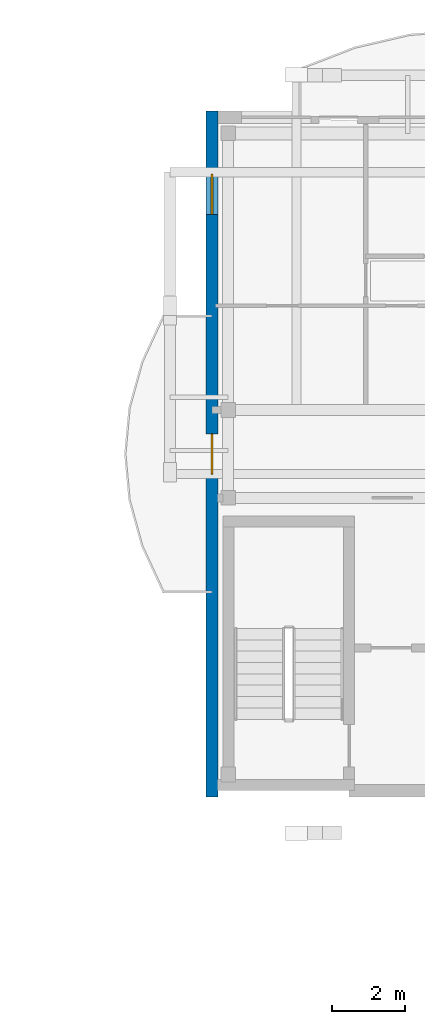
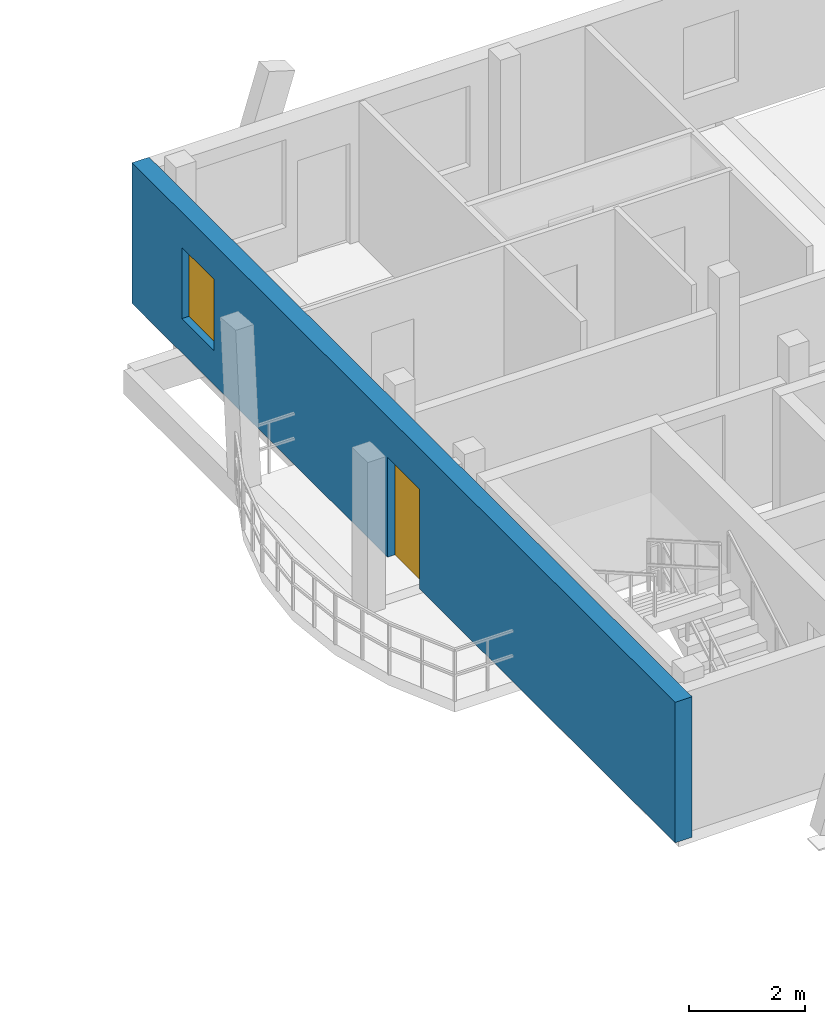
# One storey, part 23 of 41: 1 door, 1 wall, 1 window, 2 openings.
"""IFC4 building model written with IfcOpenShell, lengths in metres."""

from ifc_helpers import new_model, si_unit, direction, frame, frame_2d, origin, origin_with_axes, place, context, subcontext, project, spatial, rectangle, extrude, material, layer, layer_set, type_object, element, fill, save


model = new_model("IFC4")

# Units and contexts
model_context = context("Model", 3, precision=1e-05, world=origin(), true_north=direction((0.0, 1.0)))
body_context = subcontext(model_context, "Body", "Model", "MODEL_VIEW")
ifc_project = project(units=[si_unit("LENGTHUNIT", "METRE"), si_unit("AREAUNIT", "SQUARE_METRE"), si_unit("VOLUMEUNIT", "CUBIC_METRE"), si_unit("PLANEANGLEUNIT", "RADIAN"), si_unit("MASSUNIT", "GRAM", prefix="KILO")], contexts=[model_context])

# Site, building, storey
site_placement = place(None, origin())
site = spatial("IfcSite", under=ifc_project, at=site_placement, CompositionType="ELEMENT")
building_placement = place(site_placement, origin())
building = spatial("IfcBuilding", under=site, at=building_placement, Name="Zavelmont Quarter", CompositionType="ELEMENT")
storey_placement = place(building_placement, frame((0.0, 0.0, 27.199951171875)))
storey = spatial("IfcBuildingStorey", under=building, at=storey_placement, Name="L08", CompositionType="ELEMENT", Elevation=27.199951171875)

# Wall, openings, door, window
ifc_material_1 = material(Name="Natural Belgian limestone", Category="masonry")
ifc_layer = layer(ifc_material_1, 0.340087890625)
ifc_layer_set = layer_set([ifc_layer], Name="Natural Belgian limestone")
wall_type = type_object("IfcWallType", Name="EW03", PredefinedType="STANDARD", material=ifc_layer_set)
wall_placement = place(storey_placement, frame((126.60009765625, 97.429931640625, 0.0), z_axis=(0.0, 0.0, 1.0), x_axis=(0.0, 1.0, 0.0)))
wall = element("IfcWall", 1, at=wall_placement, inside=storey, type_object=wall_type, Name="L08 exterior limestone wall EW03", PredefinedType="STANDARD", context=body_context, shape_type="SweptSolid", body=[
    extrude(rectangle(XDim=18.739990234375, YDim=0.340087890625, at=frame_2d((9.3701171875, 0.0))), origin(), (0.0, 0.0, 1.0), 2.9599609375),
])
opening_1_placement = place(wall_placement, frame((8.820068359375, 0.0, 0.0)))
opening_1 = element("IfcOpeningElement", 2, at=opening_1_placement, cuts=wall, Name="Opening DR04B", PredefinedType="OPENING", context=body_context, shape_type="SweptSolid", body=[
    extrude(rectangle(XDim=1.10009765625, YDim=2.10009765625, at=frame_2d((0.550048828125, 1.050048828125))), frame((0.0, 0.18212890625, 0.0), z_axis=(0.0, -1.0, 0.0), x_axis=(1.0, 0.0, 0.0)), (0.0, 0.0, 1.0), 0.364013671875),
])
opening_2_placement = place(wall_placement, frame((15.919921875, 0.0, 0.719970703125)))
opening_2 = element("IfcOpeningElement", 3, at=opening_2_placement, cuts=wall, Name="Opening WN09", PredefinedType="OPENING", context=body_context, shape_type="SweptSolid", body=[
    extrude(rectangle(XDim=1.10009765625, YDim=1.5, at=frame_2d((0.550048828125, 0.75))), frame((0.0, 0.18212890625, 0.0), z_axis=(0.0, -1.0, 0.0), x_axis=(1.0, 0.0, 0.0)), (0.0, 0.0, 1.0), 0.364013671875),
])
ifc_material_2 = material(Name="Thermally broken aluminium and double safety glass", Category="aluminium")
door_type = type_object("IfcDoorType", Name="DR04B", OperationType="NOTDEFINED", PredefinedType="DOOR", material=ifc_material_2)
door_placement = place(opening_1_placement, frame((1.10009765625, 0.0, 0.0), z_axis=(0.0, 0.0, 1.0), x_axis=(-1.0, 0.0, 0.0)))
door = element("IfcDoor", 4, at=door_placement, inside=storey, type_object=door_type, Name="Block C L08 terrace or vase balcony door", OperationType="SINGLE_SWING_RIGHT", OverallHeight=2.10009765625, OverallWidth=1.10009765625, PredefinedType="DOOR", context=body_context, shape_type="SweptSolid", body=[
    extrude(rectangle(XDim=1.10009765625, YDim=2.10009765625, at=frame_2d((0.550048828125, 1.050048828125))), frame((0.0, 0.02490234375, 0.0), z_axis=(0.0, -1.0, 0.0), x_axis=(1.0, 0.0, 0.0)), (0.0, 0.0, 1.0), 0.050048828125),
])
fill(opening_1, door)
ifc_material_3 = material(Name="Double low-E insulated glazing in thermally broken aluminium frame", Category="aluminium")
window_type = type_object("IfcWindowType", Name="WN09", PartitioningType="SINGLE_PANEL", PredefinedType="WINDOW", material=ifc_material_3)
window_placement = place(opening_2_placement, origin_with_axes())
window = element("IfcWindow", 5, at=window_placement, inside=storey, type_object=window_type, Name="L08 window WN09", OverallHeight=1.5, OverallWidth=1.10009765625, PartitioningType="SINGLE_PANEL", PredefinedType="WINDOW", context=body_context, shape_type="SweptSolid", body=[
    extrude(rectangle(XDim=1.10009765625, YDim=1.5, at=frame_2d((0.550048828125, 0.75))), frame((0.0, 0.030029296875, 0.0), z_axis=(0.0, -1.0, 0.0), x_axis=(1.0, 0.0, 0.0)), (0.0, 0.0, 1.0), 0.06005859375),
])
fill(opening_2, window)

save(model, "model.ifc")
